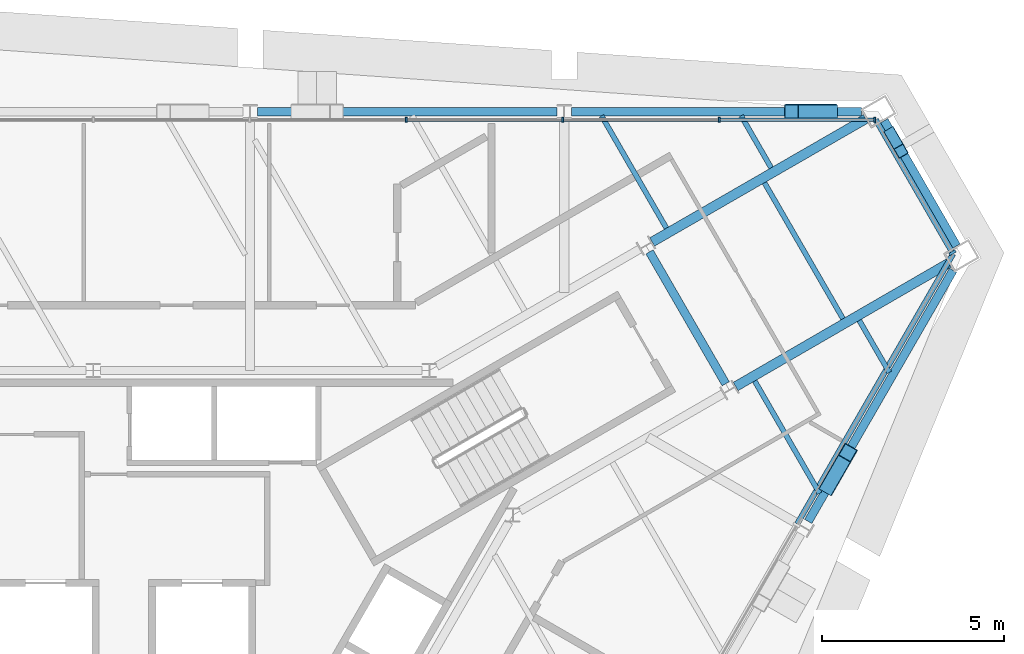
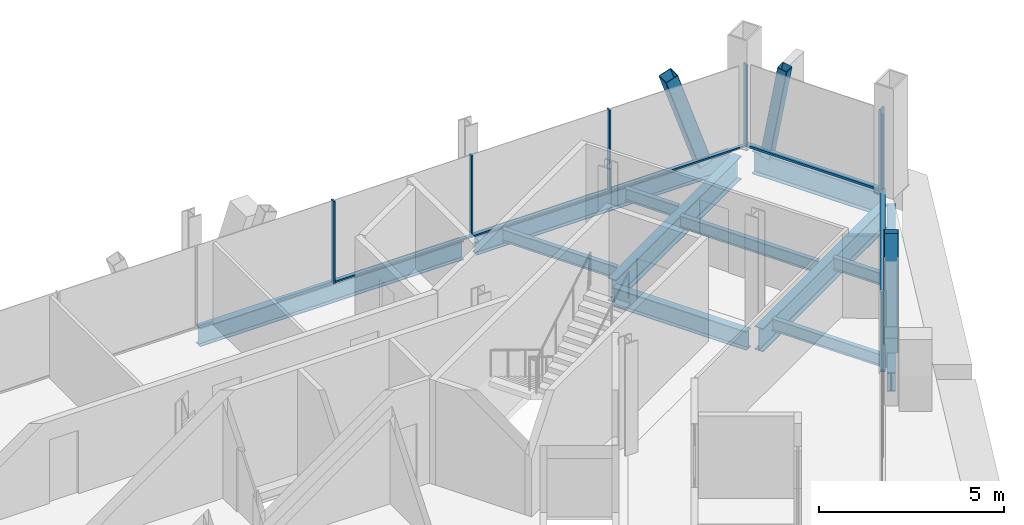
# One storey, part 7 of 13: 13 members, 12 beams, 3 elements without a shape of their own.
"""IFC4 building model written with IfcOpenShell, lengths in metres."""

from ifc_helpers import new_model, si_unit, direction, frame, origin, origin_2d, place, context, subcontext, project, spatial, rectangle, hollow_rectangle, i_section, extrude, material, material_profile, profile_set, type_object, element, aggregate, save


model = new_model("IFC4")

# Units and contexts
model_context = context("Model", 3, precision=1e-05, world=origin(), true_north=direction((0.0, 1.0)))
body_context = subcontext(model_context, "Body", "Model", "MODEL_VIEW")
ifc_project = project(units=[si_unit("LENGTHUNIT", "METRE"), si_unit("AREAUNIT", "SQUARE_METRE"), si_unit("VOLUMEUNIT", "CUBIC_METRE"), si_unit("PLANEANGLEUNIT", "RADIAN"), si_unit("MASSUNIT", "GRAM", prefix="KILO")], contexts=[model_context])

# Site, building, storey
site_placement = place(None, origin())
site = spatial("IfcSite", under=ifc_project, at=site_placement, CompositionType="ELEMENT")
building_placement = place(site_placement, origin())
building = spatial("IfcBuilding", under=site, at=building_placement, Name="Verrane Prism Tower", CompositionType="ELEMENT")
storey_placement = place(building_placement, frame((0.0, 0.0, 210.10009765625)))
storey = spatial("IfcBuildingStorey", under=building, at=storey_placement, Name="L52", CompositionType="ELEMENT", Elevation=210.10009765625)

# Member
ifc_material_1 = material(Name="Steel A500 Grade C", Category="steel")
ifc_material_profile_1 = material_profile(ifc_material_1, hollow_rectangle(XDim=0.3046875, YDim=0.3046875, WallThickness=0.0126953125, InnerFilletRadius=0.00634765625, OuterFilletRadius=0.01904296875, at=origin_2d()), Name="HSS12x12x1/2")
ifc_profile_set_1 = profile_set([ifc_material_profile_1], Name="Steel A500 Grade C")
member_type_1 = type_object("IfcMemberType", Name="Chamfer brace HSS12x12x1/2", PredefinedType="BRACE", material=ifc_profile_set_1)
member_1_placement = place(storey_placement, frame((21.973388671875, 14.517578125, -0.24267578125), z_axis=(0.087014926733, -0.150980566208, 0.984699584215), x_axis=(0.866407182577, 0.499338155942, 0.0)))
element("IfcMember", 1, at=member_1_placement, inside=storey, type_object=member_type_1, Name="Chamfer brace NE0 L52", PredefinedType="BRACE", context=body_context, shape_type="SweptSolid", body=[
    extrude(hollow_rectangle(XDim=0.3046875, YDim=0.3046875, WallThickness=0.0126953125, InnerFilletRadius=0.00634765625, OuterFilletRadius=0.01904296875, at=origin_2d()), origin(), (0.0, 0.0, 1.0), 3.156494140625),
])

# Beams
ifc_material_2 = material(Name="Steel A992", Category="steel")
ifc_material_profile_2 = material_profile(ifc_material_2, i_section(OverallWidth=0.2666015625, OverallDepth=0.7568359375, WebThickness=0.013916015625, FlangeThickness=0.019287109375, FilletRadius=0.0166015625, at=origin_2d()), Name="W30x108")
ifc_profile_set_2 = profile_set([ifc_material_profile_2], Name="Steel A992")
beam_type_1 = type_object("IfcBeamType", Name="Chamfer spandrel beam W30x108", PredefinedType="SPANDREL", material=ifc_profile_set_2)
beam_1_placement = place(storey_placement, frame((23.760009765625, 11.419921875, -0.53857421875), z_axis=(-0.499626934201, 0.866240686311, 0.0), x_axis=(-0.866240686311, -0.499626934201, 0.0)))
element("IfcBeam", 2, at=beam_1_placement, inside=storey, type_object=beam_type_1, Name="Chamfer spandrel beam L52", PredefinedType="SPANDREL", context=body_context, shape_type="SweptSolid", body=[
    extrude(i_section(OverallWidth=0.2666015625, OverallDepth=0.7568359375, WebThickness=0.013916015625, FlangeThickness=0.019287109375, FilletRadius=0.0166015625, at=origin_2d()), origin(), (0.0, 0.0, 1.0), 3.98291015625),
])
ifc_material_3 = material(Name="Steel A992", Category="steel")
ifc_material_profile_3 = material_profile(ifc_material_3, i_section(OverallWidth=0.23046875, OverallDepth=0.6171875, WebThickness=0.01318359375, FlangeThickness=0.022216796875, FilletRadius=0.012939453125, at=origin_2d()), Name="W24x94")
ifc_profile_set_3 = profile_set([ifc_material_profile_3], Name="Steel A992")
beam_type_2 = type_object("IfcBeamType", Name="Core ring girder W24x94", PredefinedType="BEAM", material=ifc_profile_set_3)
beam_2_placement = place(storey_placement, frame((17.419677734375, 7.6337890625, -0.55859375), z_axis=(-0.500375511519, 0.865808493532, 0.0), x_axis=(-0.865808493532, -0.500375511519, 0.0)))
element("IfcBeam", 3, at=beam_2_placement, inside=storey, type_object=beam_type_2, Name="Core ring girder L52", PredefinedType="BEAM", context=body_context, shape_type="SweptSolid", body=[
    extrude(i_section(OverallWidth=0.23046875, OverallDepth=0.6171875, WebThickness=0.01318359375, FlangeThickness=0.022216796875, FilletRadius=0.012939453125, at=origin_2d()), origin(), (0.0, 0.0, 1.0), 4.195556640625),
])
ifc_material_4 = material(Name="Steel A992", Category="steel")
ifc_material_profile_4 = material_profile(ifc_material_4, i_section(OverallWidth=0.2666015625, OverallDepth=0.76708984375, WebThickness=0.014892578125, FlangeThickness=0.023681640625, FilletRadius=0.0166015625, at=origin_2d()), Name="W30x124")
ifc_profile_set_4 = profile_set([ifc_material_profile_4], Name="Steel A992")
beam_type_3 = type_object("IfcBeamType", Name="Corner girder W30x124", PredefinedType="BEAM", material=ifc_profile_set_4)
beam_3_placement = place(storey_placement, frame((23.563720703125, 10.959716796875, -0.603515625), z_axis=(-0.865372078644, -0.501129888855, 0.0), x_axis=(0.501129888855, -0.865372078644, 0.0)))
element("IfcBeam", 4, at=beam_3_placement, inside=storey, type_object=beam_type_3, Name="Corner girder L52", PredefinedType="BEAM", context=body_context, shape_type="SweptSolid", body=[
    extrude(i_section(OverallWidth=0.2666015625, OverallDepth=0.76708984375, WebThickness=0.014892578125, FlangeThickness=0.023681640625, FilletRadius=0.0166015625, at=origin_2d()), origin(), (0.0, 0.0, 1.0), 6.784423828125),
])
beam_4_placement = place(storey_placement, frame((21.2734375, 14.93017578125, -0.603515625), z_axis=(-0.866324462832, -0.499481656419, 0.0), x_axis=(0.499481656419, -0.866324462832, 0.0)))
element("IfcBeam", 5, at=beam_4_placement, inside=storey, type_object=beam_type_3, Name="Corner girder L52", PredefinedType="BEAM", context=body_context, shape_type="SweptSolid", body=[
    extrude(i_section(OverallWidth=0.2666015625, OverallDepth=0.76708984375, WebThickness=0.014892578125, FlangeThickness=0.023681640625, FilletRadius=0.0166015625, at=origin_2d()), origin(), (0.0, 0.0, 1.0), 6.788330078125),
])

# Members
ifc_material_5 = material(Name="Steel A500 Grade C", Category="steel")
ifc_material_profile_5 = material_profile(ifc_material_5, hollow_rectangle(XDim=0.406494140625, YDim=0.406494140625, WallThickness=0.01904296875, InnerFilletRadius=0.009521484375, OuterFilletRadius=0.028564453125, at=origin_2d()), Name="HSS16x16x3/4")
ifc_profile_set_5 = profile_set([ifc_material_profile_5], Name="Steel A500 Grade C")
member_type_2 = type_object("IfcMemberType", Name="Facade brace HSS16x16x3/4", PredefinedType="BRACE", material=ifc_profile_set_5)
member_2_placement = place(storey_placement, frame((20.30029296875, 15.1298828125, -0.216796875), z_axis=(-0.316814533261, 0.0, 0.948487507306), x_axis=(0.0, -1.0, 0.0)))
element("IfcMember", 6, at=member_2_placement, inside=storey, type_object=member_type_2, Name="Facade brace N0 L52", PredefinedType="BRACE", context=body_context, shape_type="SweptSolid", body=[
    extrude(hollow_rectangle(XDim=0.406494140625, YDim=0.406494140625, WallThickness=0.01904296875, InnerFilletRadius=0.009521484375, OuterFilletRadius=0.028564453125, at=origin_2d()), origin(), (0.0, 0.0, 1.0), 3.369873046875),
])
member_3_placement = place(storey_placement, frame((20.249267578125, 4.812744140625, -0.216796875), z_axis=(0.158160452801, 0.274371797873, 0.948528011026), x_axis=(-0.866364537341, 0.499412142861, 0.0)))
element("IfcMember", 7, at=member_3_placement, inside=storey, type_object=member_type_2, Name="Facade brace SE4 L52", PredefinedType="BRACE", context=body_context, shape_type="SweptSolid", body=[
    extrude(hollow_rectangle(XDim=0.406494140625, YDim=0.406494140625, WallThickness=0.01904296875, InnerFilletRadius=0.009521484375, OuterFilletRadius=0.028564453125, at=origin_2d()), origin(), (0.0, 0.0, 1.0), 3.36962890625),
])

# Beams
ifc_material_6 = material(Name="Steel A992", Category="steel")
ifc_material_profile_6 = material_profile(ifc_material_6, i_section(OverallWidth=0.140380859375, OverallDepth=0.40380859375, WebThickness=0.007080078125, FlangeThickness=0.01123046875, FilletRadius=0.01025390625, at=origin_2d()), Name="W16x31")
ifc_profile_set_6 = profile_set([ifc_material_profile_6], Name="Steel A992")
beam_type_4 = type_object("IfcBeamType", Name="Floor beam W16x31", PredefinedType="BEAM", material=ifc_profile_set_6)
beam_5_placement = place(storey_placement, frame((18.66943359375, 13.5830078125, -0.362060546875), z_axis=(-0.499982354831, 0.866035590988, 0.0), x_axis=(-0.866035590988, -0.499982354831, 0.0)))
element("IfcBeam", 8, at=beam_5_placement, inside=storey, type_object=beam_type_4, Name="Floor beam L52", PredefinedType="BEAM", context=body_context, shape_type="SweptSolid", body=[
    extrude(i_section(OverallWidth=0.140380859375, OverallDepth=0.40380859375, WebThickness=0.007080078125, FlangeThickness=0.01123046875, FilletRadius=0.01025390625, at=origin_2d()), origin(), (0.0, 0.0, 1.0), 1.6533203125),
])
beam_6_placement = place(storey_placement, frame((15.785888671875, 11.92041015625, -0.362060546875), z_axis=(-0.500055614084, 0.865993292597, 0.0), x_axis=(-0.865993292597, -0.500055614084, 0.0)))
element("IfcBeam", 9, at=beam_6_placement, inside=storey, type_object=beam_type_4, Name="Floor beam L52", PredefinedType="BEAM", context=body_context, shape_type="SweptSolid", body=[
    extrude(i_section(OverallWidth=0.140380859375, OverallDepth=0.40380859375, WebThickness=0.007080078125, FlangeThickness=0.01123046875, FilletRadius=0.01025390625, at=origin_2d()), origin(), (0.0, 0.0, 1.0), 3.5732421875),
])
beam_7_placement = place(storey_placement, frame((21.92333984375, 7.94580078125, -0.362060546875), z_axis=(-0.499952654668, 0.866052736899, 0.0), x_axis=(-0.866052736899, -0.499952654668, 0.0)))
element("IfcBeam", 10, at=beam_7_placement, inside=storey, type_object=beam_type_4, Name="Floor beam L52", PredefinedType="BEAM", context=body_context, shape_type="SweptSolid", body=[
    extrude(i_section(OverallWidth=0.140380859375, OverallDepth=0.40380859375, WebThickness=0.007080078125, FlangeThickness=0.01123046875, FilletRadius=0.01025390625, at=origin_2d()), origin(), (0.0, 0.0, 1.0), 1.652587890625),
])
beam_8_placement = place(storey_placement, frame((20.00341796875, 4.61669921875, -0.362060546875), z_axis=(-0.500028168084, 0.866009140323, 0.0), x_axis=(-0.866009140323, -0.500028168084, 0.0)))
element("IfcBeam", 11, at=beam_8_placement, inside=storey, type_object=beam_type_4, Name="Floor beam L52", PredefinedType="BEAM", context=body_context, shape_type="SweptSolid", body=[
    extrude(i_section(OverallWidth=0.140380859375, OverallDepth=0.40380859375, WebThickness=0.007080078125, FlangeThickness=0.01123046875, FilletRadius=0.01025390625, at=origin_2d()), origin(), (0.0, 0.0, 1.0), 3.571533203125),
])
beam_9_placement = place(storey_placement, frame((20.648193359375, 9.425537109375, -0.362060546875), z_axis=(-0.499971774539, 0.866041699148, 0.0), x_axis=(-0.866041699148, -0.499971774539, 0.0)))
element("IfcBeam", 12, at=beam_9_placement, inside=storey, type_object=beam_type_4, Name="Floor beam L52", PredefinedType="BEAM", context=body_context, shape_type="SweptSolid", body=[
    extrude(i_section(OverallWidth=0.140380859375, OverallDepth=0.40380859375, WebThickness=0.007080078125, FlangeThickness=0.01123046875, FilletRadius=0.01025390625, at=origin_2d()), origin(), (0.0, 0.0, 1.0), 4.322998046875),
])

# Curtain wall, members
ifc_material_7 = material(Name="Aluminium framed insulated glazing", Category="aluminium")
curtain_wall_type_1 = type_object("IfcCurtainWallType", Name="Curtain wall CW-C 4200 module", PredefinedType="NOTDEFINED", material=ifc_material_7)
curtain_wall_1_placement = place(storey_placement, origin())
curtain_wall_1 = element("IfcCurtainWall", 13, at=curtain_wall_1_placement, inside=storey, type_object=curtain_wall_type_1, Name="Glazed curtain wall north face L52", PredefinedType="NOTDEFINED")
ifc_material_8 = material(Name="Aluminium alloy 6063-T6", Category="aluminium")
ifc_material_profile_7 = material_profile(ifc_material_8, rectangle(XDim=0.139892578125, YDim=0.050048828125, at=origin_2d()), Name="Mullion 50x140 aluminium")
ifc_profile_set_7 = profile_set([ifc_material_profile_7], Name="Aluminium alloy 6063-T6")
member_type_3 = type_object("IfcMemberType", Name="Mullion 50x140 aluminium", PredefinedType="MULLION", material=ifc_profile_set_7)
member_4_placement = place(storey_placement, frame((21.52587890625, 14.90185546875, 0.0), z_axis=(0.0, 0.0, 1.0), x_axis=(0.0, -1.0, 0.0)))
member_4 = element("IfcMember", 14, at=member_4_placement, type_object=member_type_3, Name="CW51.2 mullion 1", PredefinedType="MULLION", context=body_context, shape_type="SweptSolid", body=[
    extrude(rectangle(XDim=0.139892578125, YDim=0.050048828125, at=origin_2d()), origin(), (0.0, 0.0, 1.0), 2.712890625),
])
member_5_placement = place(storey_placement, frame((17.24072265625, 14.90185546875, 0.0), z_axis=(0.0, 0.0, 1.0), x_axis=(0.0, -1.0, 0.0)))
member_5 = element("IfcMember", 15, at=member_5_placement, type_object=member_type_3, Name="CW51.2 mullion 2", PredefinedType="MULLION", context=body_context, shape_type="SweptSolid", body=[
    extrude(rectangle(XDim=0.139892578125, YDim=0.050048828125, at=origin_2d()), origin(), (0.0, 0.0, 1.0), 2.712890625),
])
member_6_placement = place(storey_placement, frame((12.930419921875, 14.90185546875, 0.0), z_axis=(0.0, 0.0, 1.0), x_axis=(0.0, -1.0, 0.0)))
member_6 = element("IfcMember", 16, at=member_6_placement, type_object=member_type_3, Name="CW51.2 mullion 3", PredefinedType="MULLION", context=body_context, shape_type="SweptSolid", body=[
    extrude(rectangle(XDim=0.139892578125, YDim=0.050048828125, at=origin_2d()), origin(), (0.0, 0.0, 1.0), 2.712890625),
])
member_7_placement = place(storey_placement, frame((8.620361328125, 14.90185546875, 0.0), z_axis=(0.0, 0.0, 1.0), x_axis=(0.0, -1.0, 0.0)))
member_7 = element("IfcMember", 17, at=member_7_placement, type_object=member_type_3, Name="CW51.2 mullion 4", PredefinedType="MULLION", context=body_context, shape_type="SweptSolid", body=[
    extrude(rectangle(XDim=0.139892578125, YDim=0.050048828125, at=origin_2d()), origin(), (0.0, 0.0, 1.0), 2.712890625),
])

# Curtain wall, member
ifc_material_9 = material(Name="Aluminium framed insulated glazing", Category="aluminium")
curtain_wall_type_2 = type_object("IfcCurtainWallType", Name="Curtain wall CW-A 8400 module", PredefinedType="NOTDEFINED", material=ifc_material_9)
curtain_wall_2_placement = place(storey_placement, origin())
curtain_wall_2 = element("IfcCurtainWall", 18, at=curtain_wall_2_placement, inside=storey, type_object=curtain_wall_type_2, Name="Glazed curtain wall north-east corner L52", PredefinedType="NOTDEFINED")
ifc_material_10 = material(Name="Aluminium alloy 6063-T6", Category="aluminium")
ifc_material_profile_8 = material_profile(ifc_material_10, rectangle(XDim=0.199951171875, YDim=0.070068359375, at=origin_2d()), Name="Mullion 70x200 aluminium")
ifc_profile_set_8 = profile_set([ifc_material_profile_8], Name="Aluminium alloy 6063-T6")
member_type_4 = type_object("IfcMemberType", Name="Mullion 70x200 aluminium", PredefinedType="MULLION", material=ifc_profile_set_8)
member_8_placement = place(storey_placement, frame((23.6630859375, 11.242919921875, 0.0), z_axis=(0.0, 0.0, 1.0), x_axis=(-0.866025696345, -0.49999949327, 0.0)))
member_8 = element("IfcMember", 19, at=member_8_placement, type_object=member_type_4, Name="CW51.1 mullion 1", PredefinedType="MULLION", context=body_context, shape_type="SweptSolid", body=[
    extrude(rectangle(XDim=0.199951171875, YDim=0.070068359375, at=origin_2d()), origin(), (0.0, 0.0, 1.0), 2.712890625),
])

# Beams
ifc_material_11 = material(Name="Steel A992", Category="steel")
ifc_material_profile_9 = material_profile(ifc_material_11, i_section(OverallWidth=0.23046875, OverallDepth=0.6171875, WebThickness=0.01318359375, FlangeThickness=0.022216796875, FilletRadius=0.012939453125, at=origin_2d()), Name="W24x94")
ifc_profile_set_9 = profile_set([ifc_material_profile_9], Name="Steel A992")
beam_type_5 = type_object("IfcBeamType", Name="Spandrel beam W24x94", PredefinedType="SPANDREL", material=ifc_profile_set_9)
beam_10_placement = place(storey_placement, frame((21.158203125, 15.1298828125, -0.46875), z_axis=(-1.0, 0.0, 0.0), x_axis=(0.0, -1.0, 0.0)))
element("IfcBeam", 20, at=beam_10_placement, inside=storey, type_object=beam_type_5, Name="Spandrel beam L52", PredefinedType="SPANDREL", context=body_context, shape_type="SweptSolid", body=[
    extrude(i_section(OverallWidth=0.23046875, OverallDepth=0.6171875, WebThickness=0.01318359375, FlangeThickness=0.022216796875, FilletRadius=0.012939453125, at=origin_2d()), origin(), (0.0, 0.0, 1.0), 7.987548828125),
])
beam_11_placement = place(storey_placement, frame((12.769287109375, 15.1298828125, -0.46875), z_axis=(-1.0, 0.0, 0.0), x_axis=(0.0, -1.0, 0.0)))
element("IfcBeam", 21, at=beam_11_placement, inside=storey, type_object=beam_type_5, Name="Spandrel beam L52", PredefinedType="SPANDREL", context=body_context, shape_type="SweptSolid", body=[
    extrude(i_section(OverallWidth=0.23046875, OverallDepth=0.6171875, WebThickness=0.01318359375, FlangeThickness=0.022216796875, FilletRadius=0.012939453125, at=origin_2d()), origin(), (0.0, 0.0, 1.0), 8.24853515625),
])
beam_12_placement = place(storey_placement, frame((19.690185546875, 3.84375, -0.46875), z_axis=(0.499628915067, 0.866239543792, 0.0), x_axis=(-0.866239543792, 0.499628915067, 0.0)))
element("IfcBeam", 22, at=beam_12_placement, inside=storey, type_object=beam_type_5, Name="Spandrel beam L52", PredefinedType="SPANDREL", context=body_context, shape_type="SweptSolid", body=[
    extrude(i_section(OverallWidth=0.23046875, OverallDepth=0.6171875, WebThickness=0.01318359375, FlangeThickness=0.022216796875, FilletRadius=0.012939453125, at=origin_2d()), origin(), (0.0, 0.0, 1.0), 7.98388671875),
])

# Member
ifc_material_12 = material(Name="Aluminium alloy 6063-T6", Category="aluminium")
ifc_material_profile_10 = material_profile(ifc_material_12, rectangle(XDim=0.10009765625, YDim=0.050048828125, at=origin_2d()), Name="Transom 50x100 aluminium")
ifc_profile_set_10 = profile_set([ifc_material_profile_10], Name="Aluminium alloy 6063-T6")
member_type_5 = type_object("IfcMemberType", Name="Transom 50x100 aluminium", PredefinedType="USERDEFINED", material=ifc_profile_set_10)
member_9_placement = place(storey_placement, frame((21.500732421875, 14.90185546875, 0.02490234375), z_axis=(-1.0, 0.0, 0.0), x_axis=(0.0, -1.0, 0.0)))
member_9 = element("IfcMember", 23, at=member_9_placement, type_object=member_type_5, Name="CW51.2 transom 1", ObjectType="TRANSOM", PredefinedType="USERDEFINED", context=body_context, shape_type="SweptSolid", body=[
    extrude(rectangle(XDim=0.10009765625, YDim=0.050048828125, at=origin_2d()), origin(), (0.0, 0.0, 1.0), 4.235107421875),
])

member_10_placement = place(storey_placement, frame((17.215576171875, 14.90185546875, 0.02490234375), z_axis=(-1.0, 0.0, 0.0), x_axis=(0.0, -1.0, 0.0)))
member_10 = element("IfcMember", 24, at=member_10_placement, type_object=member_type_5, Name="CW51.2 transom 2", ObjectType="TRANSOM", PredefinedType="USERDEFINED", context=body_context, shape_type="SweptSolid", body=[
    extrude(rectangle(XDim=0.10009765625, YDim=0.050048828125, at=origin_2d()), origin(), (0.0, 0.0, 1.0), 4.260009765625),
])

member_11_placement = place(storey_placement, frame((12.905517578125, 14.90185546875, 0.02490234375), z_axis=(-1.0, 0.0, 0.0), x_axis=(0.0, -1.0, 0.0)))
member_11 = element("IfcMember", 25, at=member_11_placement, type_object=member_type_5, Name="CW51.2 transom 3", ObjectType="TRANSOM", PredefinedType="USERDEFINED", context=body_context, shape_type="SweptSolid", body=[
    extrude(rectangle(XDim=0.10009765625, YDim=0.050048828125, at=origin_2d()), origin(), (0.0, 0.0, 1.0), 4.26025390625),
])

aggregate(curtain_wall_1, [member_4, member_5, member_6, member_7, member_9, member_10, member_11])

ifc_material_13 = material(Name="Aluminium alloy 6063-T6", Category="aluminium")
ifc_material_profile_11 = material_profile(ifc_material_13, rectangle(XDim=0.14990234375, YDim=0.070068359375, at=origin_2d()), Name="Transom 70x150 aluminium")
ifc_profile_set_11 = profile_set([ifc_material_profile_11], Name="Aluminium alloy 6063-T6")
member_type_6 = type_object("IfcMemberType", Name="Transom 70x150 aluminium", PredefinedType="USERDEFINED", material=ifc_profile_set_11)
member_12_placement = place(storey_placement, frame((23.645751953125, 11.2734375, 0.034912109375), z_axis=(-0.500018368146, 0.86601479867, 0.0), x_axis=(-0.86601479867, -0.500018368146, 0.0)))
member_12 = element("IfcMember", 26, at=member_12_placement, type_object=member_type_6, Name="CW51.1 transom 1", ObjectType="TRANSOM", PredefinedType="USERDEFINED", context=body_context, shape_type="SweptSolid", body=[
    extrude(rectangle(XDim=0.14990234375, YDim=0.070068359375, at=origin_2d()), origin(), (0.0, 0.0, 1.0), 4.189697265625),
])

aggregate(curtain_wall_2, [member_8, member_12])

# Curtain wall, member
curtain_wall_3_placement = place(storey_placement, origin())
curtain_wall_3 = element("IfcCurtainWall", 27, at=curtain_wall_3_placement, inside=storey, type_object=curtain_wall_type_2, Name="Glazed curtain wall south-east face L52", PredefinedType="NOTDEFINED")
member_13_placement = place(storey_placement, frame((19.387939453125, 3.777587890625, 0.034912109375), z_axis=(0.500007995801, 0.866020787358, 0.0), x_axis=(-0.866020787358, 0.500007995801, 0.0)))
member_13 = element("IfcMember", 28, at=member_13_placement, type_object=member_type_6, Name="CW51.6 transom 5", ObjectType="TRANSOM", PredefinedType="USERDEFINED", context=body_context, shape_type="SweptSolid", body=[
    extrude(rectangle(XDim=0.14990234375, YDim=0.070068359375, at=origin_2d()), origin(), (0.0, 0.0, 1.0), 8.585205078125),
])
aggregate(curtain_wall_3, [member_13])

save(model, "model.ifc")
